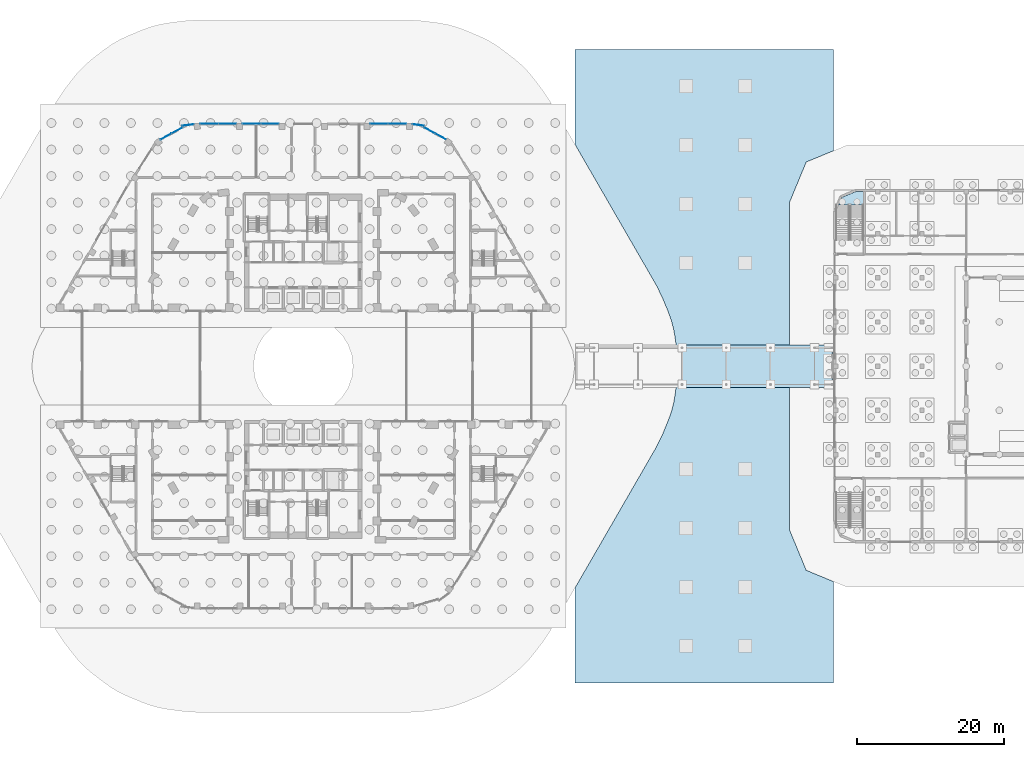
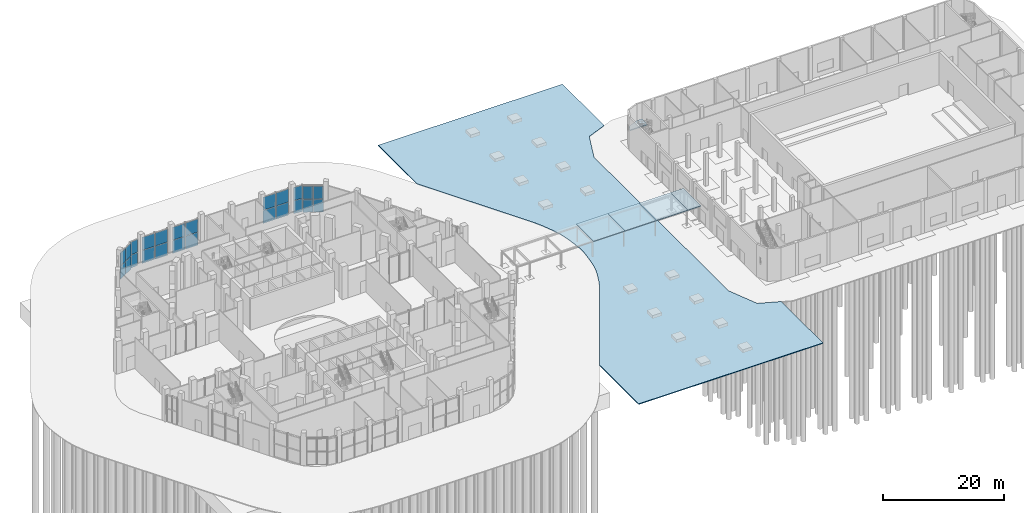
# One storey, part 22 of 44: 24 plates, 6 slabs, 8 elements without a shape of their own.
"""IFC4 building model written with IfcOpenShell, lengths in metres."""

from ifc_helpers import new_model, si_unit, direction, frame, origin, origin_2d, place, context, subcontext, project, spatial, polyline, rectangle, outline, extrude, material, layer, layer_set, type_object, element, aggregate, save


model = new_model("IFC4")

# Units and contexts
model_context = context("Model", 3, precision=1e-05, world=origin(), true_north=direction((0.0, 1.0)))
body_context = subcontext(model_context, "Body", "Model", "MODEL_VIEW")
ifc_project = project(units=[si_unit("LENGTHUNIT", "METRE"), si_unit("AREAUNIT", "SQUARE_METRE"), si_unit("VOLUMEUNIT", "CUBIC_METRE"), si_unit("PLANEANGLEUNIT", "RADIAN"), si_unit("MASSUNIT", "GRAM", prefix="KILO")], contexts=[model_context])

# Site, building, storey
site_placement = place(None, origin())
site = spatial("IfcSite", under=ifc_project, at=site_placement, CompositionType="ELEMENT")
building_placement = place(site_placement, origin())
building = spatial("IfcBuilding", under=site, at=building_placement, Name="Nakaniwa Court", CompositionType="ELEMENT")
storey_placement = place(building_placement, origin())
storey = spatial("IfcBuildingStorey", under=building, at=storey_placement, Name="L00", CompositionType="ELEMENT", Elevation=0.0)

# Slabs
ifc_material_1 = material(Name="Concrete C32/40 topping on profiled steel deck", Category="concrete")
ifc_layer_1 = layer(ifc_material_1, 0.14990234375)
ifc_layer_set_1 = layer_set([ifc_layer_1], Name="Concrete C32/40 topping on profiled steel deck")
slab_type_1 = type_object("IfcSlabType", Name="Canopy roof deck 150", PredefinedType="ROOF", material=ifc_layer_set_1)
slab_1_placement = place(storey_placement, frame((0.0, 0.0, 3.2041015625)))
element("IfcSlab", 1, at=slab_1_placement, inside=storey, type_object=slab_type_1, Name="Link walkway canopy roof 4", PredefinedType="ROOF", context=body_context, shape_type="SweptSolid", body=[
    extrude(outline(polyline([(137.427001953125, 77.10009765625), (137.427001953125, 82.89990234375), (131.4404296875, 82.89990234375), (131.4404296875, 77.10009765625), (137.427001953125, 77.10009765625)])), origin(), (0.0, 0.0, 1.0), 0.14990234375),
])
slab_2_placement = place(storey_placement, frame((0.0, 0.0, 3.2041015625)))
element("IfcSlab", 2, at=slab_2_placement, inside=storey, type_object=slab_type_1, Name="Link walkway canopy roof 5", PredefinedType="ROOF", context=body_context, shape_type="SweptSolid", body=[
    extrude(outline(polyline([(143.41357421875, 77.10009765625), (143.41357421875, 82.89990234375), (137.427001953125, 82.89990234375), (137.427001953125, 77.10009765625), (143.41357421875, 77.10009765625)])), origin(), (0.0, 0.0, 1.0), 0.14990234375),
])
slab_3_placement = place(storey_placement, frame((0.0, 0.0, 3.2041015625)))
element("IfcSlab", 3, at=slab_3_placement, inside=storey, type_object=slab_type_1, Name="Link walkway canopy roof 6", PredefinedType="ROOF", context=body_context, shape_type="SweptSolid", body=[
    extrude(outline(polyline([(149.39990234375, 77.10009765625), (149.39990234375, 82.89990234375), (143.41357421875, 82.89990234375), (143.41357421875, 77.10009765625), (149.39990234375, 77.10009765625)])), origin(), (0.0, 0.0, 1.0), 0.14990234375),
])
slab_4_placement = place(storey_placement, frame((0.0, 0.0, 3.2041015625)))
element("IfcSlab", 4, at=slab_4_placement, inside=storey, type_object=slab_type_1, Name="Link walkway canopy roof 7", PredefinedType="ROOF", context=body_context, shape_type="SweptSolid", body=[
    extrude(outline(polyline([(151.89990234375, 77.10009765625), (151.89990234375, 82.89990234375), (149.39990234375, 82.89990234375), (149.39990234375, 77.10009765625), (151.89990234375, 77.10009765625)])), origin(), (0.0, 0.0, 1.0), 0.14990234375),
])

# Curtain wall, plates
ifc_material_2 = material(Name="Black anodised aluminium frame with dark low-E laminated double glazing", Category="aluminium")
ifc_layer_2 = layer(ifc_material_2, 0.199951171875)
ifc_layer_set_2 = layer_set([ifc_layer_2], Name="Black anodised aluminium frame with dark low-E laminated double glazing")
curtain_wall_type = type_object("IfcCurtainWallType", Name="Concourse stick curtain wall", PredefinedType="NOTDEFINED", material=ifc_layer_set_2)
curtain_wall_1_placement = place(storey_placement, origin())
curtain_wall_1 = element("IfcCurtainWall", 5, at=curtain_wall_1_placement, inside=storey, type_object=curtain_wall_type, Name="L00 curtain wall CW2 44", PredefinedType="NOTDEFINED")
ifc_material_3 = material(Name="Dark toughened glass", Category="glass")
ifc_layer_3 = layer(ifc_material_3, 0.006, Name="Outer pane")
ifc_material_4 = material(Name="Argon filled cavity")
ifc_layer_4 = layer(ifc_material_4, 0.016, Name="Cavity")
ifc_material_5 = material(Name="Dark laminated safety glass", Category="glass")
ifc_layer_5 = layer(ifc_material_5, 0.006, Name="Inner pane")
ifc_layer_set_3 = layer_set([ifc_layer_3, ifc_layer_4, ifc_layer_5], Name="Dark low-E laminated double glazing")
plate_type = type_object("IfcPlateType", Name="Concourse stick curtain wall glass panel", PredefinedType="CURTAIN_PANEL", material=ifc_layer_set_3)
plate_1_placement = place(storey_placement, frame((98.633056640625, 111.186767578125, 0.06005859375), z_axis=(0.0, 0.0, 1.0), x_axis=(-0.876787125144, 0.480878713587, 0.0)))
plate_1 = element("IfcPlate", 6, at=plate_1_placement, type_object=plate_type, Name="CW2 panel 1.1", PredefinedType="CURTAIN_PANEL", context=body_context, shape_type="SweptSolid", body=[
    extrude(rectangle(XDim=1.658203125, YDim=0.028076171875, at=origin_2d()), origin(), (0.0, 0.0, 1.0), 2.610107421875),
])
plate_2_placement = place(storey_placement, frame((98.633056640625, 111.186767578125, 2.72998046875), z_axis=(0.0, 0.0, 1.0), x_axis=(-0.876787125144, 0.480878713587, 0.0)))
plate_2 = element("IfcPlate", 7, at=plate_2_placement, type_object=plate_type, Name="CW2 panel 1.2", PredefinedType="CURTAIN_PANEL", context=body_context, shape_type="SweptSolid", body=[
    extrude(rectangle(XDim=1.658203125, YDim=0.028076171875, at=origin_2d()), origin(), (0.0, 0.0, 1.0), 2.610107421875),
])
plate_3_placement = place(storey_placement, frame((97.12646484375, 112.012939453125, 0.06005859375), z_axis=(0.0, 0.0, 1.0), x_axis=(-0.876787125144, 0.480878713587, 0.0)))
plate_3 = element("IfcPlate", 8, at=plate_3_placement, type_object=plate_type, Name="CW2 panel 2.1", PredefinedType="CURTAIN_PANEL", context=body_context, shape_type="SweptSolid", body=[
    extrude(rectangle(XDim=1.658203125, YDim=0.028076171875, at=origin_2d()), origin(), (0.0, 0.0, 1.0), 2.610107421875),
])
plate_4_placement = place(storey_placement, frame((97.12646484375, 112.012939453125, 2.72998046875), z_axis=(0.0, 0.0, 1.0), x_axis=(-0.876787125144, 0.480878713587, 0.0)))
plate_4 = element("IfcPlate", 9, at=plate_4_placement, type_object=plate_type, Name="CW2 panel 2.2", PredefinedType="CURTAIN_PANEL", context=body_context, shape_type="SweptSolid", body=[
    extrude(rectangle(XDim=1.658203125, YDim=0.028076171875, at=origin_2d()), origin(), (0.0, 0.0, 1.0), 2.610107421875),
])
aggregate(curtain_wall_1, [plate_1, plate_2, plate_3, plate_4])

curtain_wall_2_placement = place(storey_placement, origin())
curtain_wall_2 = element("IfcCurtainWall", 10, at=curtain_wall_2_placement, inside=storey, type_object=curtain_wall_type, Name="L00 curtain wall CW2 45", PredefinedType="NOTDEFINED")
plate_5_placement = place(storey_placement, frame((95.64892578125, 112.7392578125, 0.06005859375), z_axis=(0.0, 0.0, 1.0), x_axis=(-0.991441468924, 0.13055195785, 0.0)))
plate_5 = element("IfcPlate", 11, at=plate_5_placement, type_object=plate_type, Name="CW2 panel 1.1", PredefinedType="CURTAIN_PANEL", context=body_context, shape_type="SweptSolid", body=[
    extrude(rectangle(XDim=1.578857421875, YDim=0.028076171875, at=origin_2d()), origin(), (0.0, 0.0, 1.0), 2.610107421875),
])
plate_6_placement = place(storey_placement, frame((95.64892578125, 112.7392578125, 2.72998046875), z_axis=(0.0, 0.0, 1.0), x_axis=(-0.991441468924, 0.13055195785, 0.0)))
plate_6 = element("IfcPlate", 12, at=plate_6_placement, type_object=plate_type, Name="CW2 panel 1.2", PredefinedType="CURTAIN_PANEL", context=body_context, shape_type="SweptSolid", body=[
    extrude(rectangle(XDim=1.578857421875, YDim=0.028076171875, at=origin_2d()), origin(), (0.0, 0.0, 1.0), 2.610107421875),
])
aggregate(curtain_wall_2, [plate_5, plate_6])

curtain_wall_3_placement = place(storey_placement, origin())
curtain_wall_3 = element("IfcCurtainWall", 13, at=curtain_wall_3_placement, inside=storey, type_object=curtain_wall_type, Name="L00 curtain wall CW2 46", PredefinedType="NOTDEFINED")
plate_7_placement = place(storey_placement, frame((92.7509765625, 112.89990234375, 0.06005859375), z_axis=(0.0, 0.0, 1.0), x_axis=(-1.0, 0.0, 0.0)))
plate_7 = element("IfcPlate", 14, at=plate_7_placement, type_object=plate_type, Name="CW2 panel 1.1", PredefinedType="CURTAIN_PANEL", context=body_context, shape_type="SweptSolid", body=[
    extrude(rectangle(XDim=2.394775390625, YDim=0.028076171875, at=origin_2d()), origin(), (0.0, 0.0, 1.0), 2.610107421875),
])
plate_8_placement = place(storey_placement, frame((92.7509765625, 112.89990234375, 2.72998046875), z_axis=(0.0, 0.0, 1.0), x_axis=(-1.0, 0.0, 0.0)))
plate_8 = element("IfcPlate", 15, at=plate_8_placement, type_object=plate_type, Name="CW2 panel 1.2", PredefinedType="CURTAIN_PANEL", context=body_context, shape_type="SweptSolid", body=[
    extrude(rectangle(XDim=2.394775390625, YDim=0.028076171875, at=origin_2d()), origin(), (0.0, 0.0, 1.0), 2.610107421875),
])
plate_9_placement = place(storey_placement, frame((90.296142578125, 112.89990234375, 0.06005859375), z_axis=(0.0, 0.0, 1.0), x_axis=(-1.0, 0.0, 0.0)))
plate_9 = element("IfcPlate", 16, at=plate_9_placement, type_object=plate_type, Name="CW2 panel 2.1", PredefinedType="CURTAIN_PANEL", context=body_context, shape_type="SweptSolid", body=[
    extrude(rectangle(XDim=2.394775390625, YDim=0.028076171875, at=origin_2d()), origin(), (0.0, 0.0, 1.0), 2.610107421875),
])
plate_10_placement = place(storey_placement, frame((90.296142578125, 112.89990234375, 2.72998046875), z_axis=(0.0, 0.0, 1.0), x_axis=(-1.0, 0.0, 0.0)))
plate_10 = element("IfcPlate", 17, at=plate_10_placement, type_object=plate_type, Name="CW2 panel 2.2", PredefinedType="CURTAIN_PANEL", context=body_context, shape_type="SweptSolid", body=[
    extrude(rectangle(XDim=2.394775390625, YDim=0.028076171875, at=origin_2d()), origin(), (0.0, 0.0, 1.0), 2.610107421875),
])
aggregate(curtain_wall_3, [plate_7, plate_8, plate_9, plate_10])

curtain_wall_4_placement = place(storey_placement, origin())
curtain_wall_4 = element("IfcCurtainWall", 18, at=curtain_wall_4_placement, inside=storey, type_object=curtain_wall_type, Name="L00 curtain wall CW2 49", PredefinedType="NOTDEFINED")
plate_11_placement = place(storey_placement, frame((75.465576171875, 112.89990234375, 0.06005859375), z_axis=(0.0, 0.0, 1.0), x_axis=(-1.0, 0.0, 0.0)))
plate_11 = element("IfcPlate", 19, at=plate_11_placement, type_object=plate_type, Name="CW2 panel 1.1", PredefinedType="CURTAIN_PANEL", context=body_context, shape_type="SweptSolid", body=[
    extrude(rectangle(XDim=2.394775390625, YDim=0.028076171875, at=origin_2d()), origin(), (0.0, 0.0, 1.0), 2.610107421875),
])
plate_12_placement = place(storey_placement, frame((75.465576171875, 112.89990234375, 2.72998046875), z_axis=(0.0, 0.0, 1.0), x_axis=(-1.0, 0.0, 0.0)))
plate_12 = element("IfcPlate", 20, at=plate_12_placement, type_object=plate_type, Name="CW2 panel 1.2", PredefinedType="CURTAIN_PANEL", context=body_context, shape_type="SweptSolid", body=[
    extrude(rectangle(XDim=2.394775390625, YDim=0.028076171875, at=origin_2d()), origin(), (0.0, 0.0, 1.0), 2.610107421875),
])
plate_13_placement = place(storey_placement, frame((73.0107421875, 112.89990234375, 0.06005859375), z_axis=(0.0, 0.0, 1.0), x_axis=(-1.0, 0.0, 0.0)))
plate_13 = element("IfcPlate", 21, at=plate_13_placement, type_object=plate_type, Name="CW2 panel 2.1", PredefinedType="CURTAIN_PANEL", context=body_context, shape_type="SweptSolid", body=[
    extrude(rectangle(XDim=2.394775390625, YDim=0.028076171875, at=origin_2d()), origin(), (0.0, 0.0, 1.0), 2.610107421875),
])
plate_14_placement = place(storey_placement, frame((73.0107421875, 112.89990234375, 2.72998046875), z_axis=(0.0, 0.0, 1.0), x_axis=(-1.0, 0.0, 0.0)))
plate_14 = element("IfcPlate", 22, at=plate_14_placement, type_object=plate_type, Name="CW2 panel 2.2", PredefinedType="CURTAIN_PANEL", context=body_context, shape_type="SweptSolid", body=[
    extrude(rectangle(XDim=2.394775390625, YDim=0.028076171875, at=origin_2d()), origin(), (0.0, 0.0, 1.0), 2.610107421875),
])
aggregate(curtain_wall_4, [plate_11, plate_12, plate_13, plate_14])

curtain_wall_5_placement = place(storey_placement, origin())
curtain_wall_5 = element("IfcCurtainWall", 23, at=curtain_wall_5_placement, inside=storey, type_object=curtain_wall_type, Name="L00 curtain wall CW2 50", PredefinedType="NOTDEFINED")
plate_15_placement = place(storey_placement, frame((69.695068359375, 112.89990234375, 0.06005859375), z_axis=(0.0, 0.0, 1.0), x_axis=(-1.0, 0.0, 0.0)))
plate_15 = element("IfcPlate", 24, at=plate_15_placement, type_object=plate_type, Name="CW2 panel 1.1", PredefinedType="CURTAIN_PANEL", context=body_context, shape_type="SweptSolid", body=[
    extrude(rectangle(XDim=2.412841796875, YDim=0.028076171875, at=origin_2d()), origin(), (0.0, 0.0, 1.0), 2.610107421875),
])
plate_16_placement = place(storey_placement, frame((69.695068359375, 112.89990234375, 2.72998046875), z_axis=(0.0, 0.0, 1.0), x_axis=(-1.0, 0.0, 0.0)))
plate_16 = element("IfcPlate", 25, at=plate_16_placement, type_object=plate_type, Name="CW2 panel 1.2", PredefinedType="CURTAIN_PANEL", context=body_context, shape_type="SweptSolid", body=[
    extrude(rectangle(XDim=2.412841796875, YDim=0.028076171875, at=origin_2d()), origin(), (0.0, 0.0, 1.0), 2.610107421875),
])
plate_17_placement = place(storey_placement, frame((67.22216796875, 112.89990234375, 0.06005859375), z_axis=(0.0, 0.0, 1.0), x_axis=(-1.0, 0.0, 0.0)))
plate_17 = element("IfcPlate", 26, at=plate_17_placement, type_object=plate_type, Name="CW2 panel 2.1", PredefinedType="CURTAIN_PANEL", context=body_context, shape_type="SweptSolid", body=[
    extrude(rectangle(XDim=2.412841796875, YDim=0.028076171875, at=origin_2d()), origin(), (0.0, 0.0, 1.0), 2.610107421875),
])
plate_18_placement = place(storey_placement, frame((67.22216796875, 112.89990234375, 2.72998046875), z_axis=(0.0, 0.0, 1.0), x_axis=(-1.0, 0.0, 0.0)))
plate_18 = element("IfcPlate", 27, at=plate_18_placement, type_object=plate_type, Name="CW2 panel 2.2", PredefinedType="CURTAIN_PANEL", context=body_context, shape_type="SweptSolid", body=[
    extrude(rectangle(XDim=2.412841796875, YDim=0.028076171875, at=origin_2d()), origin(), (0.0, 0.0, 1.0), 2.610107421875),
])
aggregate(curtain_wall_5, [plate_15, plate_16, plate_17, plate_18])

curtain_wall_6_placement = place(storey_placement, origin())
curtain_wall_6 = element("IfcCurtainWall", 28, at=curtain_wall_6_placement, inside=storey, type_object=curtain_wall_type, Name="L00 curtain wall CW2 51", PredefinedType="NOTDEFINED")
plate_19_placement = place(storey_placement, frame((64.333251953125, 112.73681640625, 0.06005859375), z_axis=(0.0, 0.0, 1.0), x_axis=(-0.99144917776, -0.130493401821, 0.0)))
plate_19 = element("IfcPlate", 29, at=plate_19_placement, type_object=plate_type, Name="CW2 panel 1.1", PredefinedType="CURTAIN_PANEL", context=body_context, shape_type="SweptSolid", body=[
    extrude(rectangle(XDim=1.54296875, YDim=0.028076171875, at=origin_2d()), origin(), (0.0, 0.0, 1.0), 2.610107421875),
])
plate_20_placement = place(storey_placement, frame((64.333251953125, 112.73681640625, 2.72998046875), z_axis=(0.0, 0.0, 1.0), x_axis=(-0.99144917776, -0.130493401821, 0.0)))
plate_20 = element("IfcPlate", 30, at=plate_20_placement, type_object=plate_type, Name="CW2 panel 1.2", PredefinedType="CURTAIN_PANEL", context=body_context, shape_type="SweptSolid", body=[
    extrude(rectangle(XDim=1.54296875, YDim=0.028076171875, at=origin_2d()), origin(), (0.0, 0.0, 1.0), 2.610107421875),
])
aggregate(curtain_wall_6, [plate_19, plate_20])

curtain_wall_7_placement = place(storey_placement, origin())
curtain_wall_7 = element("IfcCurtainWall", 31, at=curtain_wall_7_placement, inside=storey, type_object=curtain_wall_type, Name="L00 curtain wall CW2 52", PredefinedType="NOTDEFINED")
plate_21_placement = place(storey_placement, frame((62.871337890625, 112.009765625, 0.06005859375), z_axis=(0.0, 0.0, 1.0), x_axis=(-0.87648759057, -0.481424452617, 0.0)))
plate_21 = element("IfcPlate", 32, at=plate_21_placement, type_object=plate_type, Name="CW2 panel 1.1", PredefinedType="CURTAIN_PANEL", context=body_context, shape_type="SweptSolid", body=[
    extrude(rectangle(XDim=1.66552734375, YDim=0.028076171875, at=origin_2d()), origin(), (0.0, 0.0, 1.0), 2.610107421875),
])
plate_22_placement = place(storey_placement, frame((62.871337890625, 112.009765625, 2.72998046875), z_axis=(0.0, 0.0, 1.0), x_axis=(-0.87648759057, -0.481424452617, 0.0)))
plate_22 = element("IfcPlate", 33, at=plate_22_placement, type_object=plate_type, Name="CW2 panel 1.2", PredefinedType="CURTAIN_PANEL", context=body_context, shape_type="SweptSolid", body=[
    extrude(rectangle(XDim=1.66552734375, YDim=0.028076171875, at=origin_2d()), origin(), (0.0, 0.0, 1.0), 2.610107421875),
])
plate_23_placement = place(storey_placement, frame((61.359130859375, 111.178955078125, 0.06005859375), z_axis=(0.0, 0.0, 1.0), x_axis=(-0.87648759057, -0.481424452617, 0.0)))
plate_23 = element("IfcPlate", 34, at=plate_23_placement, type_object=plate_type, Name="CW2 panel 2.1", PredefinedType="CURTAIN_PANEL", context=body_context, shape_type="SweptSolid", body=[
    extrude(rectangle(XDim=1.66552734375, YDim=0.028076171875, at=origin_2d()), origin(), (0.0, 0.0, 1.0), 2.610107421875),
])
plate_24_placement = place(storey_placement, frame((61.359130859375, 111.178955078125, 2.72998046875), z_axis=(0.0, 0.0, 1.0), x_axis=(-0.87648759057, -0.481424452617, 0.0)))
plate_24 = element("IfcPlate", 35, at=plate_24_placement, type_object=plate_type, Name="CW2 panel 2.2", PredefinedType="CURTAIN_PANEL", context=body_context, shape_type="SweptSolid", body=[
    extrude(rectangle(XDim=1.66552734375, YDim=0.028076171875, at=origin_2d()), origin(), (0.0, 0.0, 1.0), 2.610107421875),
])
aggregate(curtain_wall_7, [plate_21, plate_22, plate_23, plate_24])

# Slab
ifc_material_6 = material(Name="Concrete C32/40 pavers on compacted base", Category="concrete")
ifc_layer_6 = layer(ifc_material_6, 0.14990234375)
ifc_layer_set_4 = layer_set([ifc_layer_6], Name="Concrete C32/40 pavers on compacted base")
slab_type_2 = type_object("IfcSlabType", Name="Garden paving slab 150", PredefinedType="USERDEFINED", material=ifc_layer_set_4)
slab_5_placement = place(storey_placement, frame((0.0, 0.0, -0.14990234375)))
element("IfcSlab", 36, at=slab_5_placement, inside=storey, type_object=slab_type_2, Name="Garden paving 1", ObjectType="PAVING", PredefinedType="USERDEFINED", context=body_context, shape_type="SweptSolid", body=[
    extrude(outline(polyline([(116.867431640625, 123.0), (116.867431640625, 110.143798828125), (127.920166015625, 91.0), (128.72998046875, 89.357666015625), (129.529296875, 87.42822265625), (129.947021484375, 86.280517578125), (130.262939453125, 85.100830078125), (130.47509765625, 83.89794921875), (130.747802734375, 81.827392578125), (130.854248046875, 80.610595703125), (130.854248046875, 79.389404296875), (130.747802734375, 78.172607421875), (130.47509765625, 76.10205078125), (130.262939453125, 74.899169921875), (129.947021484375, 73.719482421875), (129.529296875, 72.57177734375), (128.72998046875, 70.642333984375), (127.920166015625, 69.0), (116.867431640625, 49.856201171875), (116.867431640625, 37.0), (152.0, 37.0), (152.0, 50.748291015625), (148.28662109375, 52.28662109375), (146.0, 57.806396484375), (146.0, 102.193603515625), (148.28662109375, 107.71337890625), (152.0, 109.251708984375), (152.0, 123.0), (116.867431640625, 123.0)])), origin(), (0.0, 0.0, 1.0), 0.14990234375),
])

# Stair, slab
ifc_material_7 = material(Name="Concrete C40/50", Category="concrete")
stair_type = type_object("IfcStairType", Name="Hall exit stair 36 risers", PredefinedType="HALF_TURN_STAIR", material=ifc_material_7)
stair_placement = place(storey_placement, origin())
stair = element("IfcStair", 37, at=stair_placement, inside=storey, type_object=stair_type, Name="L00 Exit stair 2", PredefinedType="HALF_TURN_STAIR")
ifc_layer_7 = layer(ifc_material_7, 0.199951171875)
ifc_layer_set_5 = layer_set([ifc_layer_7], Name="Concrete C40/50")
slab_type_3 = type_object("IfcSlabType", Name="Hall stair landing 200", PredefinedType="LANDING", material=ifc_layer_set_5)
slab_6_placement = place(storey_placement, frame((0.0, 0.0, 3.10009765625)))
slab_6 = element("IfcSlab", 38, at=slab_6_placement, type_object=slab_type_3, Name="ST-H2 landing 1", PredefinedType="LANDING", context=body_context, shape_type="SweptSolid", body=[
    extrude(outline(polyline([(156.050048828125, 103.699951171875), (155.0, 103.699951171875), (153.0908203125, 102.9091796875), (152.6728515625, 101.89990234375), (156.050048828125, 101.89990234375), (156.050048828125, 103.699951171875)])), origin(), (0.0, 0.0, 1.0), 0.199951171875),
])
aggregate(stair, [slab_6])

save(model, "model.ifc")
